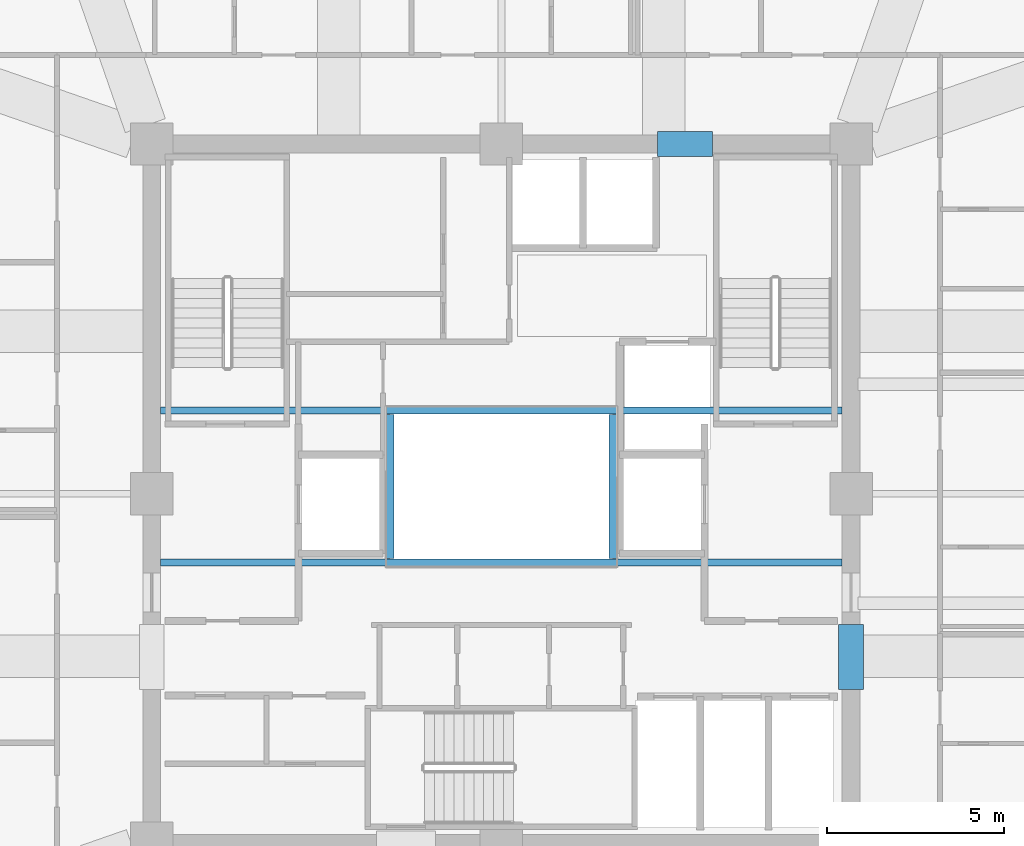
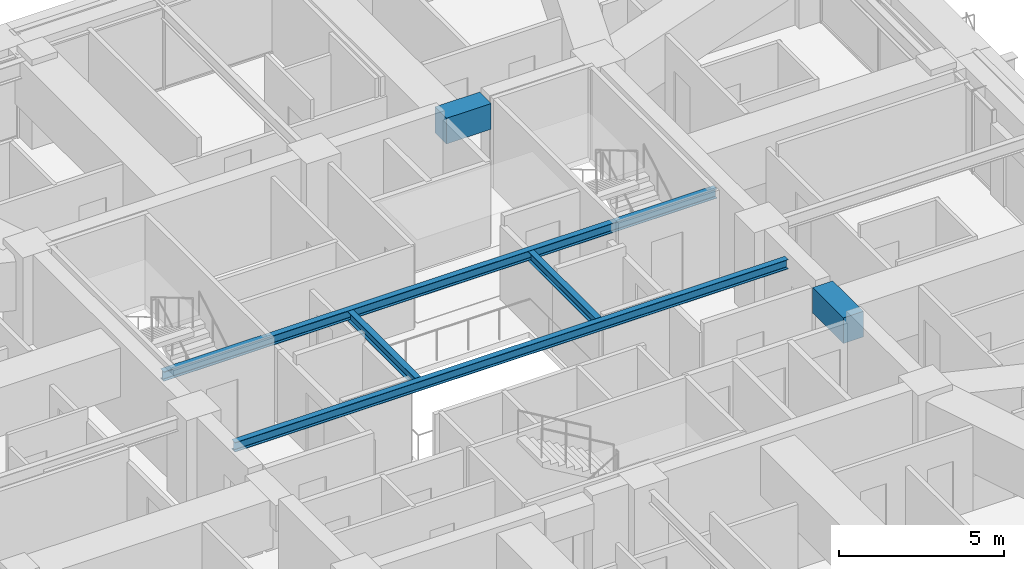
# One storey, part 14 of 40: 6 beams.
"""IFC4 building model written with IfcOpenShell, lengths in metres."""

from ifc_helpers import new_model, si_unit, direction, frame, origin, origin_2d, place, context, subcontext, project, spatial, rectangle, i_section, extrude, material, material_profile, profile_set, type_object, element, save


model = new_model("IFC4")

# Units and contexts
model_context = context("Model", 3, precision=1e-05, world=origin(), true_north=direction((0.0, 1.0)))
body_context = subcontext(model_context, "Body", "Model", "MODEL_VIEW")
ifc_project = project(units=[si_unit("LENGTHUNIT", "METRE"), si_unit("AREAUNIT", "SQUARE_METRE"), si_unit("VOLUMEUNIT", "CUBIC_METRE"), si_unit("PLANEANGLEUNIT", "RADIAN"), si_unit("MASSUNIT", "GRAM", prefix="KILO")], contexts=[model_context])

# Site, building, storey
site_placement = place(None, origin())
site = spatial("IfcSite", under=ifc_project, at=site_placement, CompositionType="ELEMENT")
building_placement = place(site_placement, origin())
building = spatial("IfcBuilding", under=site, at=building_placement, Name="Kolvaren Belvedere", CompositionType="ELEMENT")
storey_placement = place(building_placement, frame((0.0, 0.0, 170.10009765625)))
storey = spatial("IfcBuildingStorey", under=building, at=storey_placement, Name="L49", CompositionType="ELEMENT", Elevation=170.10009765625)

# Beams
ifc_material_1 = material(Name="Structural steel ASTM A992 Grade 50", Category="steel")
ifc_material_profile_1 = material_profile(ifc_material_1, i_section(OverallWidth=0.2041015625, OverallDepth=0.35009765625, WebThickness=0.008544921875, FlangeThickness=0.01513671875, FilletRadius=0.013916015625, at=origin_2d()), Name="W14X48")
ifc_profile_set_1 = profile_set([ifc_material_profile_1], Name="Structural steel ASTM A992 Grade 50")
beam_type_1 = type_object("IfcBeamType", Name="BM-ATRIUM-W14X48", PredefinedType="BEAM", material=ifc_profile_set_1)
for number, where, z_axis, x_axis, name in (
    (1, (-9.64990234375, -1.949951171875, 2.90478515625), (1.0, 0.0, 0.0), (0.0, 1.0, 0.0), "L49 Central Atrium South Girder AS"),
    (2, (-9.64990234375, 2.35009765625, 2.90478515625), (1.0, 0.0, 0.0), (0.0, 1.0, 0.0), "L49 Central Atrium North Girder AN"),
):
    element("IfcBeam", number, at=place(storey_placement, frame(where, z_axis=z_axis, x_axis=x_axis)), inside=storey, type_object=beam_type_1, Name=name, PredefinedType="BEAM", context=body_context, shape_type="SweptSolid", body=[
        extrude(i_section(OverallWidth=0.2041015625, OverallDepth=0.35009765625, WebThickness=0.008544921875, FlangeThickness=0.01513671875, FilletRadius=0.013916015625, at=origin_2d()), origin(), (0.0, 0.0, 1.0), 19.2998046875),
    ])
for number, where, z_axis, x_axis, name in (
    (3, (-3.14990234375, -1.840087890625, 2.90478515625), (0.0, 1.0, 0.0), (-1.0, 0.0, 0.0), "L49 Central Atrium West Edge Beam AW"),
    (4, (3.14990234375, -1.840087890625, 2.90478515625), (0.0, 1.0, 0.0), (-1.0, 0.0, 0.0), "L49 Central Atrium East Edge Beam AE"),
):
    element("IfcBeam", number, at=place(storey_placement, frame(where, z_axis=z_axis, x_axis=x_axis)), inside=storey, type_object=beam_type_1, Name=name, PredefinedType="BEAM", context=body_context, shape_type="SweptSolid", body=[
        extrude(i_section(OverallWidth=0.2041015625, OverallDepth=0.35009765625, WebThickness=0.008544921875, FlangeThickness=0.01513671875, FilletRadius=0.013916015625, at=origin_2d()), origin(), (0.0, 0.0, 1.0), 4.080078125),
    ])
ifc_material_2 = material(Name="Concrete C60/75", Category="concrete")
ifc_material_profile_2 = material_profile(ifc_material_2, rectangle(XDim=0.699951171875, YDim=0.949951171875, at=origin_2d()), Name="RC 700X950")
ifc_profile_set_2 = profile_set([ifc_material_profile_2], Name="Concrete C60/75")
beam_type_2 = type_object("IfcBeamType", Name="BM-LINT-950", PredefinedType="LINTEL", material=ifc_profile_set_2)
beam_1_placement = place(storey_placement, frame((4.419921875, 9.89990234375, 2.60498046875), z_axis=(1.0, 0.0, 0.0), x_axis=(0.0, 1.0, 0.0)))
element("IfcBeam", 5, at=beam_1_placement, inside=storey, type_object=beam_type_2, Name="L49 North Core Coupling Lintel", PredefinedType="LINTEL", context=body_context, shape_type="SweptSolid", body=[
    extrude(rectangle(XDim=0.699951171875, YDim=0.949951171875, at=origin_2d()), origin(), (0.0, 0.0, 1.0), 1.56005859375),
])
beam_2_placement = place(storey_placement, frame((9.89990234375, -5.550048828125, 2.60498046875), z_axis=(0.0, 1.0, 0.0), x_axis=(-1.0, 0.0, 0.0)))
element("IfcBeam", 6, at=beam_2_placement, inside=storey, type_object=beam_type_2, Name="L49 East Core Coupling Lintel", PredefinedType="LINTEL", context=body_context, shape_type="SweptSolid", body=[
    extrude(rectangle(XDim=0.699951171875, YDim=0.949951171875, at=origin_2d()), origin(), (0.0, 0.0, 1.0), 1.85009765625),
])

save(model, "model.ifc")
